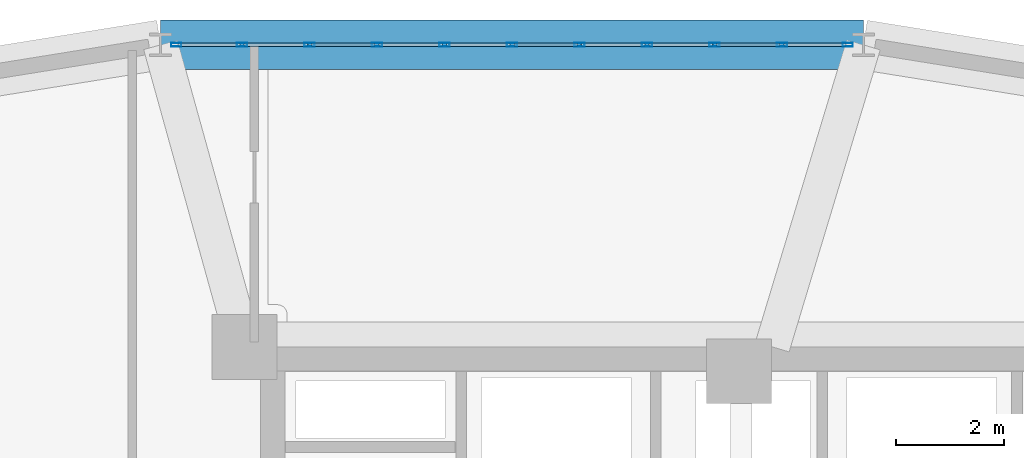
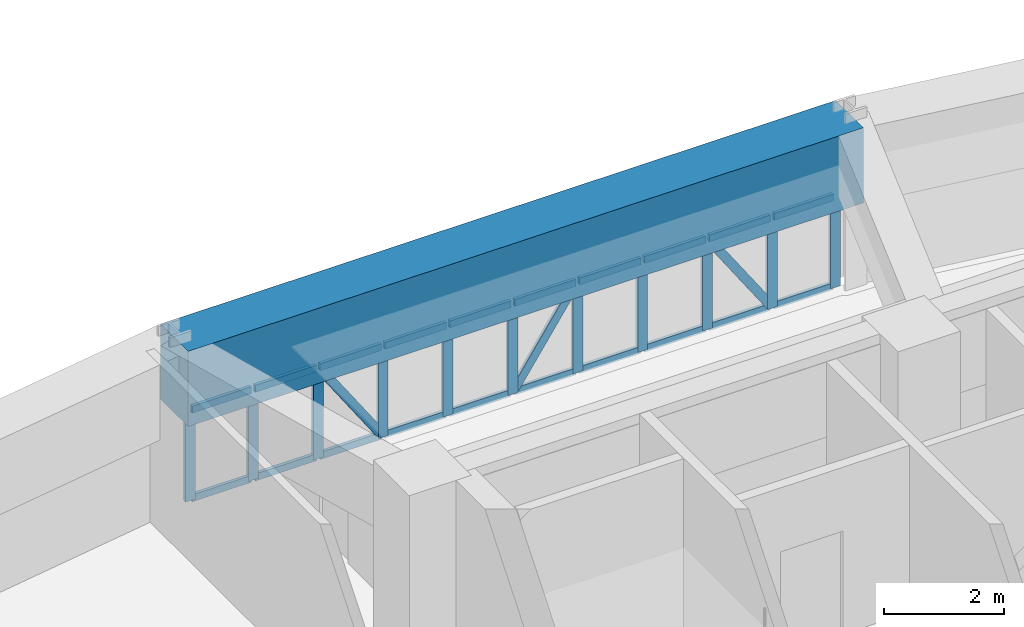
# One storey, part 8 of 13: 34 members, 1 beam, 1 element without a shape of its own.
"""IFC4 building model written with IfcOpenShell, lengths in metres."""

from ifc_helpers import new_model, si_unit, derived_unit, direction, frame, origin, origin_2d, place, context, subcontext, project, spatial, rectangle, hollow_rectangle, extrude, source, transform, mapped, material, layer, layer_set, material_profile, profile_set, type_object, element, aggregate, save


model = new_model("IFC4")

# Units and contexts
model_context = context("Model", 3, precision=1e-05, world=origin(), true_north=direction((0.0, 1.0)))
body_context = subcontext(model_context, "Body", "Model", "MODEL_VIEW")
ifc_project = project(units=[si_unit("LENGTHUNIT", "METRE"), si_unit("AREAUNIT", "SQUARE_METRE"), si_unit("VOLUMEUNIT", "CUBIC_METRE"), si_unit("PLANEANGLEUNIT", "RADIAN"), si_unit("MASSUNIT", "GRAM", prefix="KILO"), derived_unit("THERMALTRANSMITTANCEUNIT", [(si_unit("POWERUNIT", "WATT"), 1), (si_unit("LENGTHUNIT", "METRE"), -2), (si_unit("THERMODYNAMICTEMPERATUREUNIT", "KELVIN"), -1)])], contexts=[model_context])

# Site, building, storey
site_placement = place(None, origin())
site = spatial("IfcSite", under=ifc_project, at=site_placement, CompositionType="ELEMENT")
building_placement = place(site_placement, origin())
building = spatial("IfcBuilding", under=site, at=building_placement, Name="Korsvarv Bourse and Concert Hall", CompositionType="ELEMENT")
storey_placement = place(building_placement, frame((0.0, 0.0, 154.199951171875)))
storey = spatial("IfcBuildingStorey", under=building, at=storey_placement, Name="L39", CompositionType="ELEMENT", Elevation=154.199951171875)

# Beam
ifc_material_1 = material(Name="Concrete C50/60", Category="concrete")
ifc_material_profile_1 = material_profile(ifc_material_1, rectangle(XDim=0.919921875, YDim=1.530029296875, at=origin_2d()), Name="RC-BM 920x1530")
ifc_profile_set_1 = profile_set([ifc_material_profile_1], Name="Concrete C50/60")
beam_type = type_object("IfcBeamType", Name="BM-TR-154", PredefinedType="BEAM", material=ifc_profile_set_1)
shared_shape_1 = source(origin(), body_context, "Body", "SweptSolid", [
    extrude(rectangle(XDim=0.919921875, YDim=1.530029296875, at=origin_2d()), origin(), (0.0, 0.0, 1.0), 13.00146484375),
])
beam_placement = place(storey_placement, frame((38.30078125, 52.83642578125, 2.635009765625), z_axis=(-1.0, 0.0, 0.0), x_axis=(0.0, -1.0, 0.0)))
element("IfcBeam", 1, at=beam_placement, inside=storey, type_object=beam_type, Name="L39 beam B-TR6", PredefinedType="BEAM", context=body_context, shape_type="MappedRepresentation", body=[
    mapped(shared_shape_1, transform((0.0, 0.0, 0.0), scale=1.0)),
])

# Curtain wall, members
ifc_material_2 = material(Name="Anodised aluminium and triple low-E glazing", Category="glass")
ifc_layer = layer(ifc_material_2, 0.2099609375)
ifc_layer_set = layer_set([ifc_layer], Name="Anodised aluminium and triple low-E glazing")
curtain_wall_type = type_object("IfcCurtainWallType", Name="CW-SYS-2", PredefinedType="NOTDEFINED", material=ifc_layer_set)
curtain_wall_placement = place(storey_placement, origin())
curtain_wall = element("IfcCurtainWall", 2, at=curtain_wall_placement, inside=storey, type_object=curtain_wall_type, Name="L39 CW2 curtain wall CW-L39-F03", PredefinedType="NOTDEFINED")
ifc_material_3 = material(Name="Extruded aluminium EN AW-6063 T66", Category="aluminium")
ifc_material_profile_2 = material_profile(ifc_material_3, hollow_rectangle(XDim=0.070068359375, YDim=0.18994140625, WallThickness=0.0048828125, at=origin_2d()), Name="ALU-M 70x190")
ifc_profile_set_2 = profile_set([ifc_material_profile_2], Name="Extruded aluminium EN AW-6063 T66")
member_type_1 = type_object("IfcMemberType", Name="CWM-190", PredefinedType="MULLION", material=ifc_profile_set_2)
shared_shape_2 = source(origin(), body_context, "Body", "SweptSolid", [
    extrude(hollow_rectangle(XDim=0.070068359375, YDim=0.18994140625, WallThickness=0.0048828125, at=origin_2d()), origin(), (0.0, 0.0, 1.0), 1.8701171875),
])
member_1_placement = place(storey_placement, frame((38.009765625, 52.83642578125, 0.0), z_axis=(0.0, 0.0, 1.0), x_axis=(0.0, -1.0, 0.0)))
member_1 = element("IfcMember", 3, at=member_1_placement, type_object=member_type_1, Name="CW2 mullion 1", PredefinedType="MULLION", context=body_context, shape_type="MappedRepresentation", body=[
    mapped(shared_shape_2, transform((0.0, 0.0, 0.0), scale=1.0)),
])
member_2_placement = place(storey_placement, frame((36.7958984375, 52.83642578125, 0.0), z_axis=(0.0, 0.0, 1.0), x_axis=(0.0, -1.0, 0.0)))
member_2 = element("IfcMember", 4, at=member_2_placement, type_object=member_type_1, Name="CW2 mullion 2", PredefinedType="MULLION", context=body_context, shape_type="MappedRepresentation", body=[
    mapped(shared_shape_2, transform((0.0, 0.0, 0.0), scale=1.0)),
])
member_3_placement = place(storey_placement, frame((35.546875, 52.83642578125, 0.0), z_axis=(0.0, 0.0, 1.0), x_axis=(0.0, -1.0, 0.0)))
member_3 = element("IfcMember", 5, at=member_3_placement, type_object=member_type_1, Name="CW2 mullion 3", PredefinedType="MULLION", context=body_context, shape_type="MappedRepresentation", body=[
    mapped(shared_shape_2, transform((0.0, 0.0, 0.0), scale=1.0)),
])
member_4_placement = place(storey_placement, frame((34.2978515625, 52.83642578125, 0.0), z_axis=(0.0, 0.0, 1.0), x_axis=(0.0, -1.0, 0.0)))
member_4 = element("IfcMember", 6, at=member_4_placement, type_object=member_type_1, Name="CW2 mullion 4", PredefinedType="MULLION", context=body_context, shape_type="MappedRepresentation", body=[
    mapped(shared_shape_2, transform((0.0, 0.0, 0.0), scale=1.0)),
])
member_5_placement = place(storey_placement, frame((33.049072265625, 52.83642578125, 0.0), z_axis=(0.0, 0.0, 1.0), x_axis=(0.0, -1.0, 0.0)))
member_5 = element("IfcMember", 7, at=member_5_placement, type_object=member_type_1, Name="CW2 mullion 5", PredefinedType="MULLION", context=body_context, shape_type="MappedRepresentation", body=[
    mapped(shared_shape_2, transform((0.0, 0.0, 0.0), scale=1.0)),
])
member_6_placement = place(storey_placement, frame((31.800048828125, 52.83642578125, 0.0), z_axis=(0.0, 0.0, 1.0), x_axis=(0.0, -1.0, 0.0)))
member_6 = element("IfcMember", 8, at=member_6_placement, type_object=member_type_1, Name="CW2 mullion 6", PredefinedType="MULLION", context=body_context, shape_type="MappedRepresentation", body=[
    mapped(shared_shape_2, transform((0.0, 0.0, 0.0), scale=1.0)),
])
member_7_placement = place(storey_placement, frame((30.551025390625, 52.83642578125, 0.0), z_axis=(0.0, 0.0, 1.0), x_axis=(0.0, -1.0, 0.0)))
member_7 = element("IfcMember", 9, at=member_7_placement, type_object=member_type_1, Name="CW2 mullion 7", PredefinedType="MULLION", context=body_context, shape_type="MappedRepresentation", body=[
    mapped(shared_shape_2, transform((0.0, 0.0, 0.0), scale=1.0)),
])
member_8_placement = place(storey_placement, frame((29.302001953125, 52.83642578125, 0.0), z_axis=(0.0, 0.0, 1.0), x_axis=(0.0, -1.0, 0.0)))
member_8 = element("IfcMember", 10, at=member_8_placement, type_object=member_type_1, Name="CW2 mullion 8", PredefinedType="MULLION", context=body_context, shape_type="MappedRepresentation", body=[
    mapped(shared_shape_2, transform((0.0, 0.0, 0.0), scale=1.0)),
])
member_9_placement = place(storey_placement, frame((28.05322265625, 52.83642578125, 0.0), z_axis=(0.0, 0.0, 1.0), x_axis=(0.0, -1.0, 0.0)))
member_9 = element("IfcMember", 11, at=member_9_placement, type_object=member_type_1, Name="CW2 mullion 9", PredefinedType="MULLION", context=body_context, shape_type="MappedRepresentation", body=[
    mapped(shared_shape_2, transform((0.0, 0.0, 0.0), scale=1.0)),
])
member_10_placement = place(storey_placement, frame((26.80419921875, 52.83642578125, 0.0), z_axis=(0.0, 0.0, 1.0), x_axis=(0.0, -1.0, 0.0)))
member_10 = element("IfcMember", 12, at=member_10_placement, type_object=member_type_1, Name="CW2 mullion 10", PredefinedType="MULLION", context=body_context, shape_type="MappedRepresentation", body=[
    mapped(shared_shape_2, transform((0.0, 0.0, 0.0), scale=1.0)),
])
member_11_placement = place(storey_placement, frame((25.590087890625, 52.83642578125, 0.0), z_axis=(0.0, 0.0, 1.0), x_axis=(0.0, -1.0, 0.0)))
member_11 = element("IfcMember", 13, at=member_11_placement, type_object=member_type_1, Name="CW2 mullion 11", PredefinedType="MULLION", context=body_context, shape_type="MappedRepresentation", body=[
    mapped(shared_shape_2, transform((0.0, 0.0, 0.0), scale=1.0)),
])
ifc_material_profile_3 = material_profile(ifc_material_3, hollow_rectangle(XDim=0.06494140625, YDim=0.139892578125, WallThickness=0.00390625, at=origin_2d()), Name="ALU-T 65x140")
ifc_profile_set_3 = profile_set([ifc_material_profile_3], Name="Extruded aluminium EN AW-6063 T66")
member_type_2 = type_object("IfcMemberType", Name="CWT-140", PredefinedType="USERDEFINED", material=ifc_profile_set_3)
shared_shape_3 = source(origin(), body_context, "Body", "SweptSolid", [
    extrude(hollow_rectangle(XDim=0.06494140625, YDim=0.139892578125, WallThickness=0.00390625, at=origin_2d()), origin(), (0.0, 0.0, 1.0), 1.14404296875),
])
member_12_placement = place(storey_placement, frame((37.974853515625, 52.83642578125, 0.032470703125), z_axis=(-1.0, 0.0, 0.0), x_axis=(0.0, -1.0, 0.0)))
member_12 = element("IfcMember", 14, at=member_12_placement, type_object=member_type_2, Name="CW2 transom 1.1", ObjectType="TRANSOM", PredefinedType="USERDEFINED", context=body_context, shape_type="MappedRepresentation", body=[
    mapped(shared_shape_3, transform((0.0, 0.0, 0.0), scale=1.0)),
])
member_13_placement = place(storey_placement, frame((37.974853515625, 52.83642578125, 1.837646484375), z_axis=(-1.0, 0.0, 0.0), x_axis=(0.0, -1.0, 0.0)))
member_13 = element("IfcMember", 15, at=member_13_placement, type_object=member_type_2, Name="CW2 transom 1.2", ObjectType="TRANSOM", PredefinedType="USERDEFINED", context=body_context, shape_type="MappedRepresentation", body=[
    mapped(shared_shape_3, transform((0.0, 0.0, 0.0), scale=1.0)),
])
shared_shape_4 = source(origin(), body_context, "Body", "SweptSolid", [
    extrude(hollow_rectangle(XDim=0.06494140625, YDim=0.139892578125, WallThickness=0.00390625, at=origin_2d()), origin(), (0.0, 0.0, 1.0), 1.178955078125),
])
member_14_placement = place(storey_placement, frame((36.7607421875, 52.83642578125, 0.032470703125), z_axis=(-1.0, 0.0, 0.0), x_axis=(0.0, -1.0, 0.0)))
member_14 = element("IfcMember", 16, at=member_14_placement, type_object=member_type_2, Name="CW2 transom 2.1", ObjectType="TRANSOM", PredefinedType="USERDEFINED", context=body_context, shape_type="MappedRepresentation", body=[
    mapped(shared_shape_4, transform((0.0, 0.0, 0.0), scale=1.0)),
])
member_15_placement = place(storey_placement, frame((36.7607421875, 52.83642578125, 1.837646484375), z_axis=(-1.0, 0.0, 0.0), x_axis=(0.0, -1.0, 0.0)))
member_15 = element("IfcMember", 17, at=member_15_placement, type_object=member_type_2, Name="CW2 transom 2.2", ObjectType="TRANSOM", PredefinedType="USERDEFINED", context=body_context, shape_type="MappedRepresentation", body=[
    mapped(shared_shape_4, transform((0.0, 0.0, 0.0), scale=1.0)),
])
member_16_placement = place(storey_placement, frame((35.511962890625, 52.83642578125, 0.032470703125), z_axis=(-1.0, 0.0, 0.0), x_axis=(0.0, -1.0, 0.0)))
member_16 = element("IfcMember", 18, at=member_16_placement, type_object=member_type_2, Name="CW2 transom 3.1", ObjectType="TRANSOM", PredefinedType="USERDEFINED", context=body_context, shape_type="MappedRepresentation", body=[
    mapped(shared_shape_4, transform((0.0, 0.0, 0.0), scale=1.0)),
])
member_17_placement = place(storey_placement, frame((35.511962890625, 52.83642578125, 1.837646484375), z_axis=(-1.0, 0.0, 0.0), x_axis=(0.0, -1.0, 0.0)))
member_17 = element("IfcMember", 19, at=member_17_placement, type_object=member_type_2, Name="CW2 transom 3.2", ObjectType="TRANSOM", PredefinedType="USERDEFINED", context=body_context, shape_type="MappedRepresentation", body=[
    mapped(shared_shape_4, transform((0.0, 0.0, 0.0), scale=1.0)),
])
member_18_placement = place(storey_placement, frame((34.262939453125, 52.83642578125, 0.032470703125), z_axis=(-1.0, 0.0, 0.0), x_axis=(0.0, -1.0, 0.0)))
member_18 = element("IfcMember", 20, at=member_18_placement, type_object=member_type_2, Name="CW2 transom 4.1", ObjectType="TRANSOM", PredefinedType="USERDEFINED", context=body_context, shape_type="MappedRepresentation", body=[
    mapped(shared_shape_4, transform((0.0, 0.0, 0.0), scale=1.0)),
])
member_19_placement = place(storey_placement, frame((34.262939453125, 52.83642578125, 1.837646484375), z_axis=(-1.0, 0.0, 0.0), x_axis=(0.0, -1.0, 0.0)))
member_19 = element("IfcMember", 21, at=member_19_placement, type_object=member_type_2, Name="CW2 transom 4.2", ObjectType="TRANSOM", PredefinedType="USERDEFINED", context=body_context, shape_type="MappedRepresentation", body=[
    mapped(shared_shape_4, transform((0.0, 0.0, 0.0), scale=1.0)),
])
member_20_placement = place(storey_placement, frame((33.013916015625, 52.83642578125, 0.032470703125), z_axis=(-1.0, 0.0, 0.0), x_axis=(0.0, -1.0, 0.0)))
member_20 = element("IfcMember", 22, at=member_20_placement, type_object=member_type_2, Name="CW2 transom 5.1", ObjectType="TRANSOM", PredefinedType="USERDEFINED", context=body_context, shape_type="MappedRepresentation", body=[
    mapped(shared_shape_4, transform((0.0, 0.0, 0.0), scale=1.0)),
])
member_21_placement = place(storey_placement, frame((33.013916015625, 52.83642578125, 1.837646484375), z_axis=(-1.0, 0.0, 0.0), x_axis=(0.0, -1.0, 0.0)))
member_21 = element("IfcMember", 23, at=member_21_placement, type_object=member_type_2, Name="CW2 transom 5.2", ObjectType="TRANSOM", PredefinedType="USERDEFINED", context=body_context, shape_type="MappedRepresentation", body=[
    mapped(shared_shape_4, transform((0.0, 0.0, 0.0), scale=1.0)),
])
member_22_placement = place(storey_placement, frame((31.764892578125, 52.83642578125, 0.032470703125), z_axis=(-1.0, 0.0, 0.0), x_axis=(0.0, -1.0, 0.0)))
member_22 = element("IfcMember", 24, at=member_22_placement, type_object=member_type_2, Name="CW2 transom 6.1", ObjectType="TRANSOM", PredefinedType="USERDEFINED", context=body_context, shape_type="MappedRepresentation", body=[
    mapped(shared_shape_4, transform((0.0, 0.0, 0.0), scale=1.0)),
])
member_23_placement = place(storey_placement, frame((31.764892578125, 52.83642578125, 1.837646484375), z_axis=(-1.0, 0.0, 0.0), x_axis=(0.0, -1.0, 0.0)))
member_23 = element("IfcMember", 25, at=member_23_placement, type_object=member_type_2, Name="CW2 transom 6.2", ObjectType="TRANSOM", PredefinedType="USERDEFINED", context=body_context, shape_type="MappedRepresentation", body=[
    mapped(shared_shape_4, transform((0.0, 0.0, 0.0), scale=1.0)),
])
member_24_placement = place(storey_placement, frame((30.51611328125, 52.83642578125, 0.032470703125), z_axis=(-1.0, 0.0, 0.0), x_axis=(0.0, -1.0, 0.0)))
member_24 = element("IfcMember", 26, at=member_24_placement, type_object=member_type_2, Name="CW2 transom 7.1", ObjectType="TRANSOM", PredefinedType="USERDEFINED", context=body_context, shape_type="MappedRepresentation", body=[
    mapped(shared_shape_4, transform((0.0, 0.0, 0.0), scale=1.0)),
])
member_25_placement = place(storey_placement, frame((30.51611328125, 52.83642578125, 1.837646484375), z_axis=(-1.0, 0.0, 0.0), x_axis=(0.0, -1.0, 0.0)))
member_25 = element("IfcMember", 27, at=member_25_placement, type_object=member_type_2, Name="CW2 transom 7.2", ObjectType="TRANSOM", PredefinedType="USERDEFINED", context=body_context, shape_type="MappedRepresentation", body=[
    mapped(shared_shape_4, transform((0.0, 0.0, 0.0), scale=1.0)),
])
member_26_placement = place(storey_placement, frame((29.26708984375, 52.83642578125, 0.032470703125), z_axis=(-1.0, 0.0, 0.0), x_axis=(0.0, -1.0, 0.0)))
member_26 = element("IfcMember", 28, at=member_26_placement, type_object=member_type_2, Name="CW2 transom 8.1", ObjectType="TRANSOM", PredefinedType="USERDEFINED", context=body_context, shape_type="MappedRepresentation", body=[
    mapped(shared_shape_4, transform((0.0, 0.0, 0.0), scale=1.0)),
])
member_27_placement = place(storey_placement, frame((29.26708984375, 52.83642578125, 1.837646484375), z_axis=(-1.0, 0.0, 0.0), x_axis=(0.0, -1.0, 0.0)))
member_27 = element("IfcMember", 29, at=member_27_placement, type_object=member_type_2, Name="CW2 transom 8.2", ObjectType="TRANSOM", PredefinedType="USERDEFINED", context=body_context, shape_type="MappedRepresentation", body=[
    mapped(shared_shape_4, transform((0.0, 0.0, 0.0), scale=1.0)),
])
member_28_placement = place(storey_placement, frame((28.01806640625, 52.83642578125, 0.032470703125), z_axis=(-1.0, 0.0, 0.0), x_axis=(0.0, -1.0, 0.0)))
member_28 = element("IfcMember", 30, at=member_28_placement, type_object=member_type_2, Name="CW2 transom 9.1", ObjectType="TRANSOM", PredefinedType="USERDEFINED", context=body_context, shape_type="MappedRepresentation", body=[
    mapped(shared_shape_4, transform((0.0, 0.0, 0.0), scale=1.0)),
])
member_29_placement = place(storey_placement, frame((28.01806640625, 52.83642578125, 1.837646484375), z_axis=(-1.0, 0.0, 0.0), x_axis=(0.0, -1.0, 0.0)))
member_29 = element("IfcMember", 31, at=member_29_placement, type_object=member_type_2, Name="CW2 transom 9.2", ObjectType="TRANSOM", PredefinedType="USERDEFINED", context=body_context, shape_type="MappedRepresentation", body=[
    mapped(shared_shape_4, transform((0.0, 0.0, 0.0), scale=1.0)),
])
ifc_material_profile_4 = material_profile(ifc_material_3, hollow_rectangle(XDim=0.06494140625, YDim=0.1650390625, WallThickness=0.0048828125, at=origin_2d()), Name="ALU-M 65x165")
ifc_profile_set_4 = profile_set([ifc_material_profile_4], Name="Extruded aluminium EN AW-6063 T66")
member_type_3 = type_object("IfcMemberType", Name="CWM-165", PredefinedType="MULLION", material=ifc_profile_set_4)
shared_shape_5 = source(origin(), body_context, "Body", "SweptSolid", [
    extrude(hollow_rectangle(XDim=0.06494140625, YDim=0.1650390625, WallThickness=0.0048828125, at=origin_2d()), origin(), (0.0, 0.0, 1.0), 2.101806640625),
])
member_30_placement = place(storey_placement, frame((36.7607421875, 52.83642578125, 0.06494140625), z_axis=(-0.560930331724, 0.0, 0.827863009774), x_axis=(0.0, -1.0, 0.0)))
member_30 = element("IfcMember", 32, at=member_30_placement, type_object=member_type_3, Name="CW2 diagonal mullion 2", PredefinedType="MULLION", context=body_context, shape_type="MappedRepresentation", body=[
    mapped(shared_shape_5, transform((0.0, 0.0, 0.0), scale=1.0)),
])
member_31_placement = place(storey_placement, frame((31.8349609375, 52.83642578125, 0.06494140625), z_axis=(0.560930331724, 0.0, 0.827863009774), x_axis=(0.0, 1.0, 0.0)))
member_31 = element("IfcMember", 33, at=member_31_placement, type_object=member_type_3, Name="CW2 diagonal mullion 5", PredefinedType="MULLION", context=body_context, shape_type="MappedRepresentation", body=[
    mapped(shared_shape_5, transform((0.0, 0.0, 0.0), scale=1.0)),
])
member_32_placement = place(storey_placement, frame((29.26708984375, 52.83642578125, 0.06494140625), z_axis=(-0.560930331724, 0.0, 0.827863009774), x_axis=(0.0, -1.0, 0.0)))
member_32 = element("IfcMember", 34, at=member_32_placement, type_object=member_type_3, Name="CW2 diagonal mullion 8", PredefinedType="MULLION", context=body_context, shape_type="MappedRepresentation", body=[
    mapped(shared_shape_5, transform((0.0, 0.0, 0.0), scale=1.0)),
])
shared_shape_6 = source(origin(), body_context, "Body", "SweptSolid", [
    extrude(hollow_rectangle(XDim=0.06494140625, YDim=0.139892578125, WallThickness=0.00390625, at=origin_2d()), origin(), (0.0, 0.0, 1.0), 1.143798828125),
])
member_33_placement = place(storey_placement, frame((26.76904296875, 52.83642578125, 0.032470703125), z_axis=(-1.0, 0.0, 0.0), x_axis=(0.0, -1.0, 0.0)))
member_33 = element("IfcMember", 35, at=member_33_placement, type_object=member_type_2, Name="CW2 transom 10.1", ObjectType="TRANSOM", PredefinedType="USERDEFINED", context=body_context, shape_type="MappedRepresentation", body=[
    mapped(shared_shape_6, transform((0.0, 0.0, 0.0), scale=1.0)),
])
member_34_placement = place(storey_placement, frame((26.76904296875, 52.83642578125, 1.837646484375), z_axis=(-1.0, 0.0, 0.0), x_axis=(0.0, -1.0, 0.0)))
member_34 = element("IfcMember", 36, at=member_34_placement, type_object=member_type_2, Name="CW2 transom 10.2", ObjectType="TRANSOM", PredefinedType="USERDEFINED", context=body_context, shape_type="MappedRepresentation", body=[
    mapped(shared_shape_6, transform((0.0, 0.0, 0.0), scale=1.0)),
])
aggregate(curtain_wall, [member_1, member_2, member_3, member_4, member_5, member_6, member_7, member_8, member_9, member_10, member_11, member_12, member_13, member_14, member_15, member_30, member_16, member_17, member_18, member_19, member_20, member_21, member_31, member_22, member_23, member_24, member_25, member_26, member_27, member_32, member_28, member_29, member_33, member_34])

save(model, "model.ifc")
